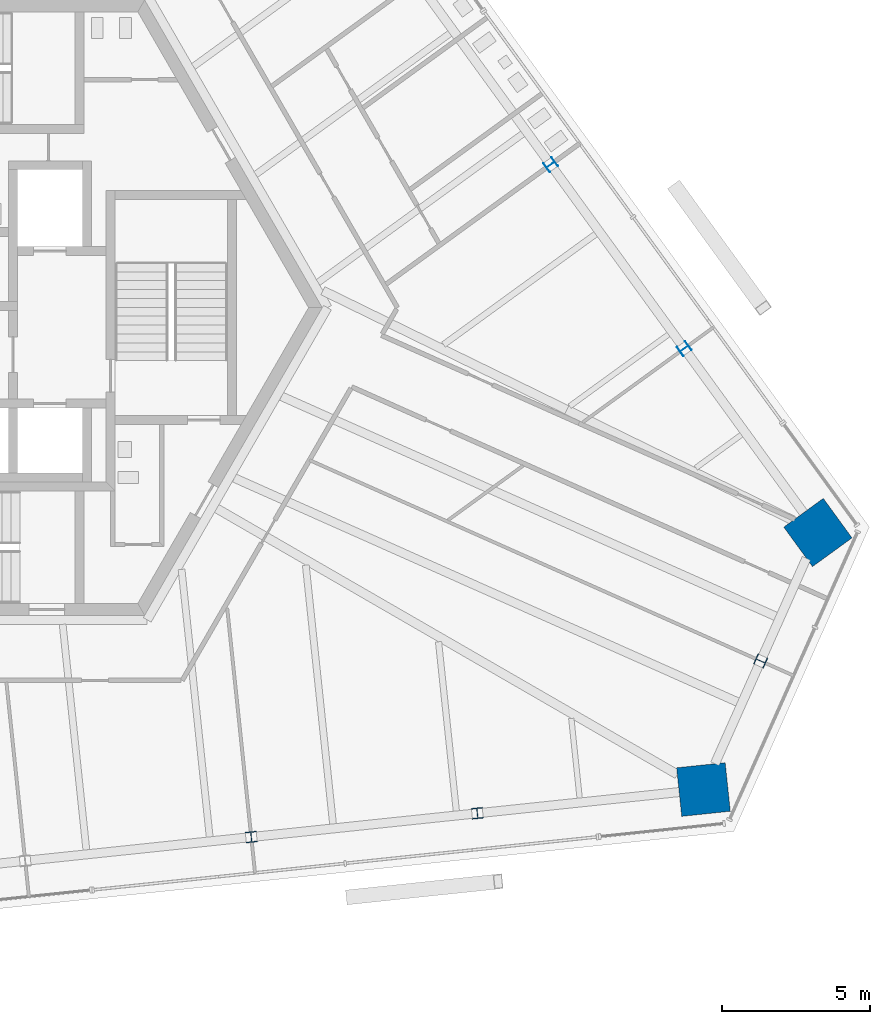
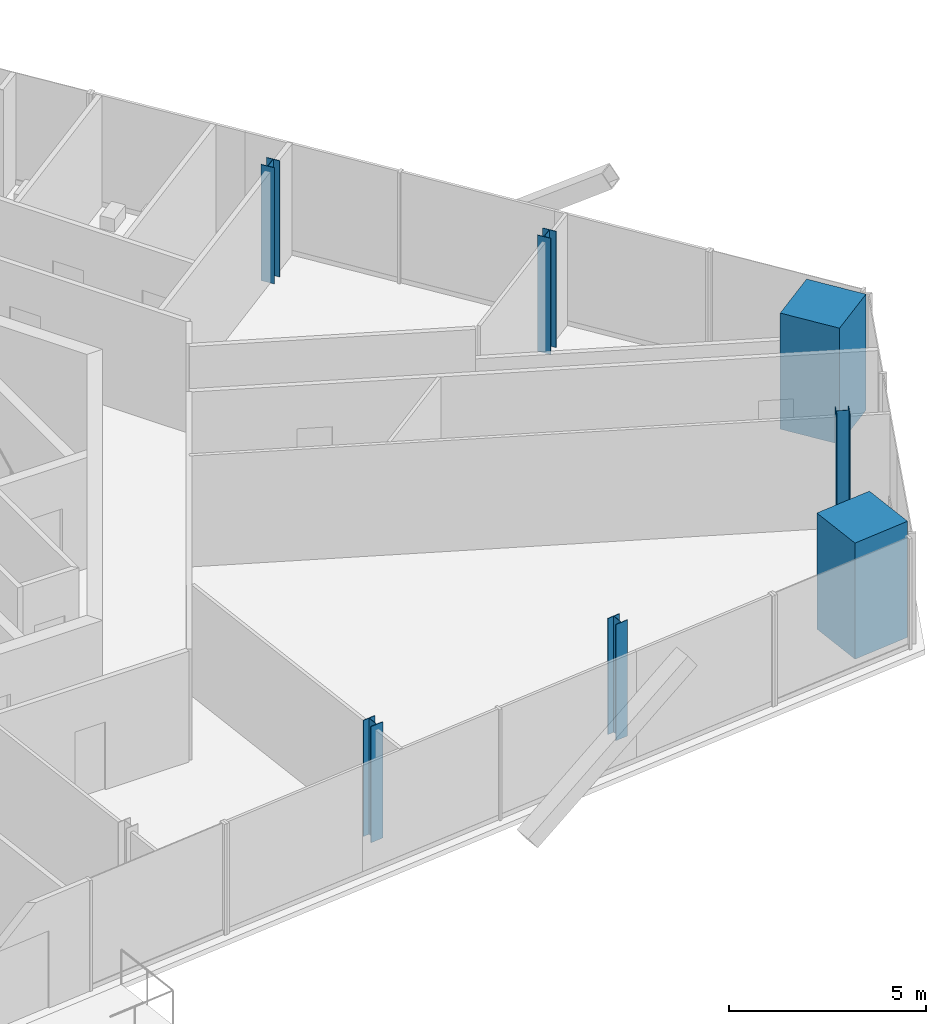
# One storey, part 2 of 19: 7 columns.
"""IFC4 building model written with IfcOpenShell, lengths in metres."""

from ifc_helpers import new_model, si_unit, direction, frame, origin, origin_2d, place, context, subcontext, project, spatial, rectangle, i_section, extrude, source, transform, mapped, material, material_profile, profile_set, type_object, element, save


model = new_model("IFC4")

# Units and contexts
model_context = context("Model", 3, precision=1e-05, world=origin(), true_north=direction((0.0, 1.0)))
body_context = subcontext(model_context, "Body", "Model", "MODEL_VIEW")
ifc_project = project(units=[si_unit("LENGTHUNIT", "METRE"), si_unit("AREAUNIT", "SQUARE_METRE"), si_unit("VOLUMEUNIT", "CUBIC_METRE"), si_unit("PLANEANGLEUNIT", "RADIAN"), si_unit("MASSUNIT", "GRAM", prefix="KILO")], contexts=[model_context])

# Site, building, storey
site_placement = place(None, origin())
site = spatial("IfcSite", under=ifc_project, at=site_placement, CompositionType="ELEMENT")
building_placement = place(site_placement, origin())
building = spatial("IfcBuilding", under=site, at=building_placement, Name="Triune Harvest Tower", CompositionType="ELEMENT")
storey_placement = place(building_placement, frame((0.0, 0.0, 244.89990234375)))
storey = spatial("IfcBuildingStorey", under=building, at=storey_placement, Name="L64", CompositionType="ELEMENT", Elevation=244.89990234375)

# Columns
ifc_material_1 = material(Name="Steel ASTM A992 Gr 50", Category="steel")
ifc_material_profile_1 = material_profile(ifc_material_1, i_section(OverallWidth=0.368408203125, OverallDepth=0.355712890625, WebThickness=0.01123046875, FlangeThickness=0.01806640625, at=origin_2d()), Name="W14x90")
ifc_profile_set_1 = profile_set([ifc_material_profile_1], Name="Steel ASTM A992 Gr 50")
column_type_1 = type_object("IfcColumnType", Name="PC-6 Perimeter column W14x90", PredefinedType="COLUMN", material=ifc_profile_set_1)
shared_shape_1 = source(origin(), body_context, "Body", "SweptSolid", [
    extrude(i_section(OverallWidth=0.368408203125, OverallDepth=0.355712890625, WebThickness=0.01123046875, FlangeThickness=0.01806640625, at=origin_2d()), origin(), (0.0, 0.0, 1.0), 3.60009765625),
])
for number, where, z_axis, x_axis, name in (
    (1, (24.2275390625, -1.38232421875, 0.0), (0.0, 0.0, 1.0), (-0.587785252292, 0.809016994375, 0.0), "col/L64/P1"),
    (2, (19.713623046875, 4.83056640625, 0.0), (0.0, 0.0, 1.0), (-0.587785252292, 0.809016994375, 0.0), "col/L64/P2"),
    (3, (9.601318359375, -17.88232421875, 0.0), (0.0, 0.0, 1.0), (0.99452171293, 0.104530199036, 0.0), "col/L64/P20"),
    (4, (17.238525390625, -17.07958984375, 0.0), (0.0, 0.0, 1.0), (0.99452171293, 0.104530199036, 0.0), "col/L64/P21"),
    (5, (26.80859375, -11.93603515625, 0.0), (0.0, 0.0, 1.0), (0.406741426383, 0.913543327962, 0.0), "col/L64/P23"),
):
    element("IfcColumn", number, at=place(storey_placement, frame(where, z_axis=z_axis, x_axis=x_axis)), inside=storey, type_object=column_type_1, Name=name, PredefinedType="COLUMN", context=body_context, shape_type="MappedRepresentation", body=[
        mapped(shared_shape_1, transform((0.0, 0.0, 0.0), scale=1.0)),
    ])
ifc_material_2 = material(Name="Concrete 70 MPa", Category="concrete")
ifc_material_profile_2 = material_profile(ifc_material_2, rectangle(XDim=1.64990234375, YDim=1.64990234375, at=origin_2d()), Name="Composite 1650x1650")
ifc_profile_set_2 = profile_set([ifc_material_profile_2], Name="Concrete 70 MPa")
column_type_2 = type_object("IfcColumnType", Name="MC-6 Mega column Composite 1650x1650", PredefinedType="COLUMN", material=ifc_profile_set_2)
shared_shape_2 = source(origin(), body_context, "Body", "SweptSolid", [
    extrude(rectangle(XDim=1.64990234375, YDim=1.64990234375, at=origin_2d()), origin(), (0.0, 0.0, 1.0), 3.60009765625),
])
for number, where, z_axis, x_axis, name in (
    (6, (28.741455078125, -7.59521484375, 0.0), (0.0, 0.0, 1.0), (-0.587785252292, 0.809016994375, 0.0), "col/L64/M0"),
    (7, (24.8759765625, -16.27685546875, 0.0), (0.0, 0.0, 1.0), (0.99452171293, 0.104530199036, 0.0), "col/L64/M22"),
):
    element("IfcColumn", number, at=place(storey_placement, frame(where, z_axis=z_axis, x_axis=x_axis)), inside=storey, type_object=column_type_2, Name=name, PredefinedType="COLUMN", context=body_context, shape_type="MappedRepresentation", body=[
        mapped(shared_shape_2, transform((0.0, 0.0, 0.0), scale=1.0)),
    ])

save(model, "model.ifc")
